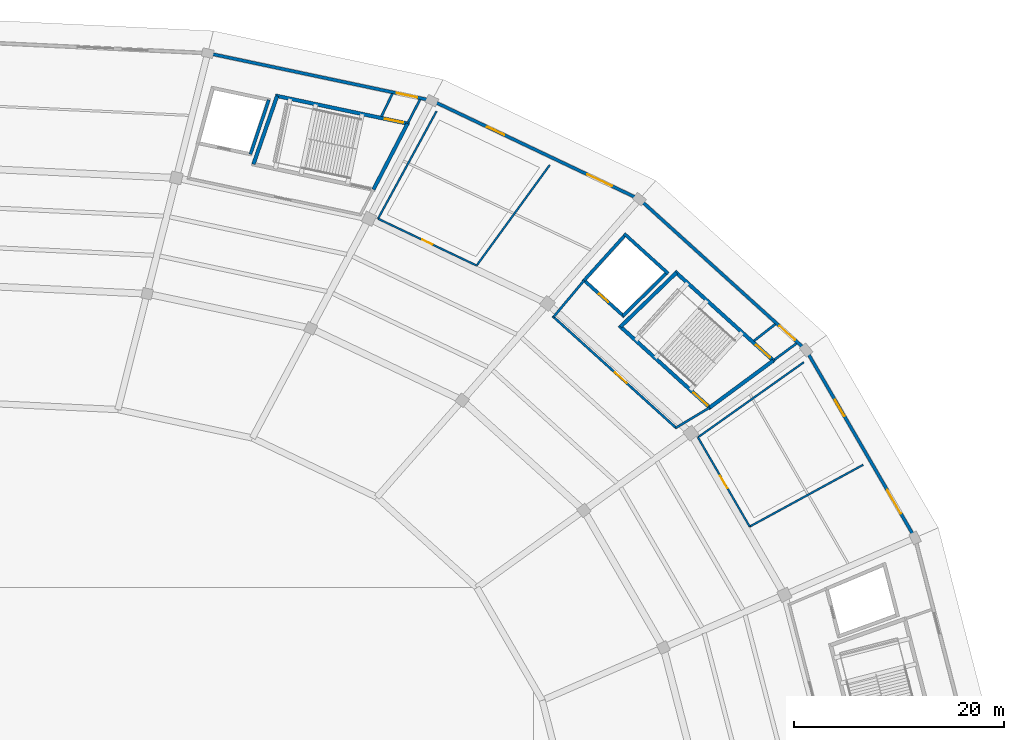
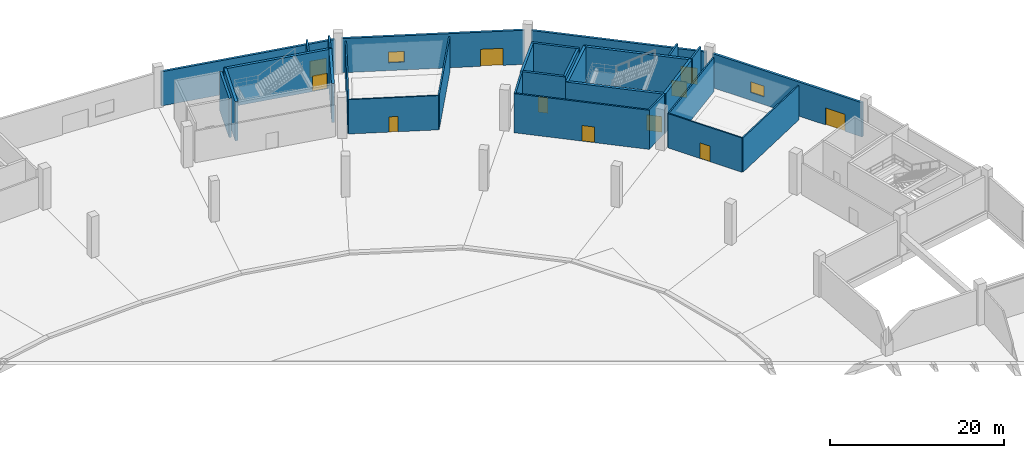
# One storey, part 18 of 48: 29 walls, 11 doors, 2 windows, 13 openings.
"""IFC4 building model written with IfcOpenShell, lengths in metres."""

import ifcopenshell
import ifcopenshell.guid

model = None  # the IFC model being written
_history = None  # IfcOwnerHistory: only IFC2X3 demands one
_inside = {}  # id of a spatial element -> (the spatial element, [elements in it])
_under = {}  # id of a project, library or spatial element -> (it, [spatial elements below it])
_declared = {}  # id of a project -> (the project, [libraries it declares])
_typed = {}  # id of a type object -> (the type object, [elements of that type])
_made_of = {}  # id of a material, layer set ... -> (it, [elements and type objects made of it])


def new_model(schema):
    """Start an empty IFC model of exactly this schema.

    Asked for "IFC4X3", IfcOpenShell would pick the latest addendum, in which some entities
    have other attributes; the version numbers below select the first issue.
    IFC2X3 requires an IfcOwnerHistory on every rooted entity: one is made here for all.
    """
    global model, _history
    if schema == "IFC4X3":
        model = ifcopenshell.file(schema_version=(4, 3, 0, 0))
    else:
        model = ifcopenshell.file(schema=schema)
    _inside.clear()
    _under.clear()
    _declared.clear()
    _typed.clear()
    _made_of.clear()
    _history = None
    if model.schema == "IFC2X3":
        org = make("IfcOrganization", Name="unknown")
        user = make(
            "IfcPersonAndOrganization",
            ThePerson=make("IfcPerson", FamilyName="unknown"),
            TheOrganization=org,
        )
        app = make(
            "IfcApplication",
            ApplicationDeveloper=org,
            Version="unknown",
            ApplicationFullName="unknown",
            ApplicationIdentifier="unknown",
        )
        _history = make(
            "IfcOwnerHistory",
            OwningUser=user,
            OwningApplication=app,
            ChangeAction="ADDED",
            CreationDate=0,
        )
    return model


def make(cls, **values):
    """One entity of the class cls with the attributes given. An attribute that is None is left unset."""
    return model.create_entity(
        cls, **{name: value for name, value in values.items() if value is not None}
    )


def rooted(cls, **values):
    """An entity with a GlobalId (a new one), such as an element, a storey or a relation."""
    return make(cls, GlobalId=ifcopenshell.guid.new(), OwnerHistory=_history, **values)


def si_unit(unit_type, name, prefix=None):
    """IfcSIUnit, for example si_unit("LENGTHUNIT", "METRE", prefix="MILLI")."""
    return make("IfcSIUnit", UnitType=unit_type, Prefix=prefix, Name=name)


def assignment(units):
    """IfcUnitAssignment: the units of a project."""
    return None if units is None else make("IfcUnitAssignment", Units=units)


def point(xyz):
    """IfcCartesianPoint."""
    return None if xyz is None else make("IfcCartesianPoint", Coordinates=xyz)


def direction(xyz):
    """IfcDirection."""
    return None if xyz is None else make("IfcDirection", DirectionRatios=xyz)


def frame(location, z_axis=None, x_axis=None):
    """IfcAxis2Placement3D, a coordinate frame: its origin and axes. An axis left out is left unset."""
    return make(
        "IfcAxis2Placement3D",
        Location=point(location),
        Axis=direction(z_axis),
        RefDirection=direction(x_axis),
    )


def frame_2d(location, x_axis=None):
    """IfcAxis2Placement2D, a coordinate frame in the plane: its origin and x axis."""
    return make(
        "IfcAxis2Placement2D", Location=point(location), RefDirection=direction(x_axis)
    )


def origin():
    """The frame at (0, 0, 0) with its axes left unset."""
    return frame((0.0, 0.0, 0.0))


def place(relative_to, where):
    """IfcLocalPlacement: puts the frame where relative to a parent placement (None: the world)."""
    return make(
        "IfcLocalPlacement", PlacementRelTo=relative_to, RelativePlacement=where
    )


def context(
    kind, dimensions, precision=None, world=None, true_north=None, identifier=None
):
    """IfcGeometricRepresentationContext, for example the 3D "Model" context."""
    return make(
        "IfcGeometricRepresentationContext",
        ContextIdentifier=identifier,
        ContextType=kind,
        CoordinateSpaceDimension=dimensions,
        Precision=precision,
        WorldCoordinateSystem=world,
        TrueNorth=true_north,
    )


def subcontext(parent, identifier, kind, view, scale=None):
    """IfcGeometricRepresentationSubContext, for example "Body" below "Model"."""
    return make(
        "IfcGeometricRepresentationSubContext",
        ContextIdentifier=identifier,
        ContextType=kind,
        ParentContext=parent,
        TargetScale=scale,
        TargetView=view,
    )


def project(units=None, contexts=None):
    """IfcProject with its units and contexts."""
    return rooted(
        "IfcProject",
        Name="project",
        RepresentationContexts=contexts,
        UnitsInContext=assignment(units),
    )


def spatial(cls, under=None, at=None, **own):
    """A site, building, storey or space (cls), placed at a placement, below another one or the project."""
    s = rooted(cls, ObjectPlacement=at, **own)
    if under is not None:
        _under.setdefault(under.id(), (under, []))[1].append(s)
    return s


def profile(cls, at=None, kind="AREA", **sizes):
    """A parametric profile (cls). Its sizes go by their IFC names, for example OverallWidth=200.0."""
    return make(cls, ProfileType=kind, Position=at, **sizes)


def rectangle(**sizes):
    """IfcRectangleProfileDef."""
    return profile("IfcRectangleProfileDef", **sizes)


def extrude(swept, where, along, depth):
    """IfcExtrudedAreaSolid: the profile swept, set in the frame where, extruded along a direction by depth."""
    return make(
        "IfcExtrudedAreaSolid",
        SweptArea=swept,
        Position=where,
        ExtrudedDirection=direction(along),
        Depth=depth,
    )


def shape(context_of_items, identifier, shape_type, items):
    """IfcShapeRepresentation: the items that make up one representation, for example the "Body"."""
    return make(
        "IfcShapeRepresentation",
        ContextOfItems=context_of_items,
        RepresentationIdentifier=identifier,
        RepresentationType=shape_type,
        Items=items,
    )


def material(Name=None, Category=None):
    """IfcMaterial."""
    return make("IfcMaterial", Name=Name, Category=Category)


def layer(
    of_material, thickness, ventilated=None, Name=None, Category=None, Priority=None
):
    """IfcMaterialLayer: one layer of a wall or slab, of a material (None: an air gap)."""
    return make(
        "IfcMaterialLayer",
        Material=of_material,
        LayerThickness=thickness,
        IsVentilated=ventilated,
        Name=Name,
        Category=Category,
        Priority=Priority,
    )


def layer_set(layers, Name=None):
    """IfcMaterialLayerSet."""
    return make("IfcMaterialLayerSet", MaterialLayers=layers, LayerSetName=Name)


def made_of(thing, what):
    """Note that an element or type object is made of a material, layer set ...; save() writes the relation."""
    if what is not None:
        _made_of.setdefault(what.id(), (what, []))[1].append(thing)
    return thing


def type_object(cls, material=None, **own):
    """A type object (cls), such as IfcWallType, which elements share."""
    return made_of(rooted(cls, **own), material)


def element(
    cls,
    number,
    at=None,
    inside=None,
    cuts=None,
    type_object=None,
    material=None,
    context=None,
    identifier="Body",
    shape_type=None,
    held_by="IfcProductDefinitionShape",
    body=None,
    shapes=None,
    **own,
):
    """One element of the class cls, such as IfcWall. Its Tag is "e" and its number.

    at: its placement. inside: the storey or other place that contains it. cuts: it is an
    opening in that element (IfcRelVoidsElement). A single representation is given by context,
    identifier, shape_type and body (its items); several are given by shapes. held_by: the class
    of the entity that holds the representations. save() writes the other relations.
    """
    e = rooted(cls, Tag="e%d" % number, ObjectPlacement=at, **own)
    if body is not None:
        shapes = [shape(context, identifier, shape_type, body)]
    if shapes is not None:
        e.Representation = make(held_by, Representations=shapes)
    if inside is not None:
        _inside.setdefault(inside.id(), (inside, []))[1].append(e)
    if cuts is not None:
        rooted(
            "IfcRelVoidsElement", RelatingBuildingElement=cuts, RelatedOpeningElement=e
        )
    if type_object is not None:
        _typed.setdefault(type_object.id(), (type_object, []))[1].append(e)
    return made_of(e, material)


def fill(opening, filler):
    """IfcRelFillsElement: the door or window that sits in an opening."""
    return rooted(
        "IfcRelFillsElement",
        RelatingOpeningElement=opening,
        RelatedBuildingElement=filler,
    )


def aggregate(whole, parts):
    """IfcRelAggregates: a whole, such as a stair, and the parts it consists of."""
    return rooted("IfcRelAggregates", RelatingObject=whole, RelatedObjects=parts)


def save(model, path):
    """Write the relations noted so far, then the file.

    IfcRelAggregates (storeys below a building ...), IfcRelContainedInSpatialStructure (elements
    in a storey), IfcRelDefinesByType, IfcRelAssociatesMaterial and IfcRelDeclares: one each for
    every whole, place, type object, material and project.
    """
    for whole, parts in _under.values():
        aggregate(whole, parts)
    for where, things in _inside.values():
        rooted(
            "IfcRelContainedInSpatialStructure",
            RelatedElements=things,
            RelatingStructure=where,
        )
    for kind, things in _typed.values():
        rooted("IfcRelDefinesByType", RelatedObjects=things, RelatingType=kind)
    for what, things in _made_of.values():
        rooted("IfcRelAssociatesMaterial", RelatedObjects=things, RelatingMaterial=what)
    for by, libraries in _declared.values():
        rooted("IfcRelDeclares", RelatingContext=by, RelatedDefinitions=libraries)
    model.write(path)


model = new_model("IFC4")

# Units and contexts
model_context = context("Model", 3, precision=1e-05, world=origin(), true_north=direction((0.0, 1.0)))
body_context = subcontext(model_context, "Body", "Model", "MODEL_VIEW")
ifc_project = project(units=[si_unit("LENGTHUNIT", "METRE"), si_unit("AREAUNIT", "SQUARE_METRE"), si_unit("VOLUMEUNIT", "CUBIC_METRE"), si_unit("PLANEANGLEUNIT", "RADIAN"), si_unit("MASSUNIT", "GRAM", prefix="KILO")], contexts=[model_context])

# Site, building, storey
site_placement = place(None, origin())
site = spatial("IfcSite", under=ifc_project, at=site_placement, CompositionType="ELEMENT")
building_placement = place(site_placement, origin())
building = spatial("IfcBuilding", under=site, at=building_placement, Name="Kazemori Nagisa Stadium", CompositionType="ELEMENT")
storey_placement = place(building_placement, origin())
storey = spatial("IfcBuildingStorey", under=building, at=storey_placement, Name="L00", CompositionType="ELEMENT", Elevation=0.0)

# Wall, opening, door
ifc_material_1 = material(Name="Concrete C40/50 (Fc42)", Category="concrete")
ifc_layer_1 = layer(ifc_material_1, 0.35009765625, Name="Concrete C40/50 (Fc42)", Category="concrete")
ifc_layer_set_1 = layer_set([ifc_layer_1], Name="Concrete C40/50 (Fc42)")
wall_type_1 = type_object("IfcWallType", Name="Wall_W-CORE-350", PredefinedType="SHEAR", material=ifc_layer_set_1)
wall_1_placement = place(storey_placement, frame((192.438720703125, 153.072021484375, 0.0), z_axis=(0.0, 0.0, 1.0), x_axis=(-0.741358227035, 0.671109513572, 0.0)))
wall_1 = element("IfcWall", 1, at=wall_1_placement, inside=storey, type_object=wall_type_1, Name="Core stair front shear wall ST01 L00", PredefinedType="SHEAR", context=body_context, shape_type="SweptSolid", body=[
    extrude(rectangle(XDim=11.82666015625, YDim=0.35009765625, at=frame_2d((5.913330078125, 0.0))), origin(), (0.0, 0.0, 1.0), 5.5),
])
opening_1_placement = place(wall_1_placement, frame((0.47509765625, 0.0, 0.0)))
opening_1 = element("IfcOpeningElement", 2, at=opening_1_placement, cuts=wall_1, Name="Opening D-ST-1800", PredefinedType="OPENING", context=body_context, shape_type="SweptSolid", body=[
    extrude(rectangle(XDim=1.800048828125, YDim=2.199951171875, at=frame_2d((0.89990234375, 1.10009765625))), frame((0.0, 0.18505859375, 0.0), z_axis=(0.0, -1.0, 0.0), x_axis=(1.0, 0.0, 0.0)), (0.0, 0.0, 1.0), 0.3701171875),
])
ifc_material_2 = material(Name="Galvanised steel sheet", Category="steel")
door_type_1 = type_object("IfcDoorType", Name="Door_D-ST-1800", OperationType="NOTDEFINED", PredefinedType="DOOR", material=ifc_material_2)
door_1_placement = place(opening_1_placement, origin())
door_1 = element("IfcDoor", 3, at=door_1_placement, inside=storey, type_object=door_type_1, Name="Exit stair fire door ST01-L00", OperationType="SINGLE_SWING_RIGHT", OverallHeight=2.199951171875, OverallWidth=1.800048828125, PredefinedType="DOOR", context=body_context, shape_type="SweptSolid", body=[
    extrude(rectangle(XDim=1.800048828125, YDim=2.199951171875, at=frame_2d((0.89990234375, 1.10009765625))), frame((0.0, 0.02490234375, 0.0), z_axis=(0.0, -1.0, 0.0), x_axis=(1.0, 0.0, 0.0)), (0.0, 0.0, 1.0), 0.050048828125),
])
fill(opening_1, door_1)

wall_2_placement = place(storey_placement, frame((198.499267578125, 157.548095703125, 0.0), z_axis=(0.0, 0.0, 1.0), x_axis=(-0.741351373721, 0.671117084183, 0.0)))
wall_2 = element("IfcWall", 4, at=wall_2_placement, inside=storey, type_object=wall_type_1, Name="Core stair rear shear wall ST01 L00", PredefinedType="SHEAR", context=body_context, shape_type="SweptSolid", body=[
    extrude(rectangle(XDim=12.830322265625, YDim=0.35009765625, at=frame_2d((6.4150390625, 0.0))), origin(), (0.0, 0.0, 1.0), 5.5),
])
opening_2_placement = place(wall_2_placement, frame((0.60205078125, 0.0, 0.0)))
opening_2 = element("IfcOpeningElement", 5, at=opening_2_placement, cuts=wall_2, Name="Opening D-ST-1800", PredefinedType="OPENING", context=body_context, shape_type="SweptSolid", body=[
    extrude(rectangle(XDim=1.800048828125, YDim=2.199951171875, at=frame_2d((0.89990234375, 1.10009765625))), frame((0.0, 0.18505859375, 0.0), z_axis=(0.0, -1.0, 0.0), x_axis=(1.0, 0.0, 0.0)), (0.0, 0.0, 1.0), 0.3701171875),
])
door_2_placement = place(opening_2_placement, frame((1.800048828125, 0.0, 0.0), z_axis=(0.0, 0.0, 1.0), x_axis=(-1.0, 0.0, 0.0)))
door_2 = element("IfcDoor", 6, at=door_2_placement, inside=storey, type_object=door_type_1, Name="Exit stair discharge door ST01-L00", OperationType="DOUBLE_DOOR_SINGLE_SWING", OverallHeight=2.199951171875, OverallWidth=1.800048828125, PredefinedType="DOOR", context=body_context, shape_type="SweptSolid", body=[
    extrude(rectangle(XDim=1.800048828125, YDim=2.199951171875, at=frame_2d((0.89990234375, 1.10009765625))), frame((0.0, 0.02490234375, 0.0), z_axis=(0.0, -1.0, 0.0), x_axis=(1.0, 0.0, 0.0)), (0.0, 0.0, 1.0), 0.050048828125),
])
fill(opening_2, door_2)

# Walls
wall_3_placement = place(storey_placement, frame((192.308837890625, 153.189453125, 0.0), z_axis=(0.0, 0.0, 1.0), x_axis=(0.804395625347, 0.594093997548, 0.0)))
element("IfcWall", 7, at=wall_3_placement, inside=storey, type_object=wall_type_1, Name="Core stair left shear wall ST01 L00", PredefinedType="SHEAR", context=body_context, shape_type="SweptSolid", body=[
    extrude(rectangle(XDim=7.5341796875, YDim=0.35009765625, at=frame_2d((3.76708984375, 0.0))), origin(), (0.0, 0.0, 1.0), 5.5),
])
wall_4_placement = place(storey_placement, frame((183.800537109375, 160.8916015625, 0.0), z_axis=(0.0, 0.0, 1.0), x_axis=(0.718297398554, 0.69573619083, 0.0)))
element("IfcWall", 8, at=wall_4_placement, inside=storey, type_object=wall_type_1, Name="Core stair right shear wall ST01 L00", PredefinedType="SHEAR", context=body_context, shape_type="SweptSolid", body=[
    extrude(rectangle(XDim=7.40185546875, YDim=0.35009765625, at=frame_2d((3.700927734375, 0.0))), origin(), (0.0, 0.0, 1.0), 5.5),
])

# Wall, opening, door
wall_5_placement = place(storey_placement, frame((163.655029296875, 180.2333984375, 0.0), z_axis=(0.0, 0.0, 1.0), x_axis=(-0.978345119536, 0.206980257705, 0.0)))
wall_5 = element("IfcWall", 9, at=wall_5_placement, inside=storey, type_object=wall_type_1, Name="Core stair rear shear wall ST11 L00", PredefinedType="SHEAR", context=body_context, shape_type="SweptSolid", body=[
    extrude(rectangle(XDim=13.06689453125, YDim=0.35009765625, at=frame_2d((6.533447265625, 0.0))), origin(), (0.0, 0.0, 1.0), 5.5),
])
opening_3_placement = place(wall_5_placement, frame((0.58203125, 0.0, 0.0)))
opening_3 = element("IfcOpeningElement", 10, at=opening_3_placement, cuts=wall_5, Name="Opening D-ST-1800", PredefinedType="OPENING", context=body_context, shape_type="SweptSolid", body=[
    extrude(rectangle(XDim=1.800048828125, YDim=2.199951171875, at=frame_2d((0.89990234375, 1.10009765625))), frame((0.0, 0.18505859375, 0.0), z_axis=(0.0, -1.0, 0.0), x_axis=(1.0, 0.0, 0.0)), (0.0, 0.0, 1.0), 0.3701171875),
])
door_3_placement = place(opening_3_placement, frame((1.800048828125, 0.0, 0.0), z_axis=(0.0, 0.0, 1.0), x_axis=(-1.0, 0.0, 0.0)))
door_3 = element("IfcDoor", 11, at=door_3_placement, inside=storey, type_object=door_type_1, Name="Exit stair discharge door ST11-L00", OperationType="DOUBLE_DOOR_SINGLE_SWING", OverallHeight=2.199951171875, OverallWidth=1.800048828125, PredefinedType="DOOR", context=body_context, shape_type="SweptSolid", body=[
    extrude(rectangle(XDim=1.800048828125, YDim=2.199951171875, at=frame_2d((0.89990234375, 1.10009765625))), frame((0.0, 0.02490234375, 0.0), z_axis=(0.0, -1.0, 0.0), x_axis=(1.0, 0.0, 0.0)), (0.0, 0.0, 1.0), 0.050048828125),
])
fill(opening_3, door_3)

# Walls
wall_6_placement = place(storey_placement, frame((160.228515625, 173.975830078125, 0.0), z_axis=(0.0, 0.0, 1.0), x_axis=(0.459409796564, 0.888224430435, 0.0)))
element("IfcWall", 12, at=wall_6_placement, inside=storey, type_object=wall_type_1, Name="Core stair left shear wall ST11 L00", PredefinedType="SHEAR", context=body_context, shape_type="SweptSolid", body=[
    extrude(rectangle(XDim=7.0859375, YDim=0.35009765625, at=frame_2d((3.54296875, 0.0))), origin(), (0.0, 0.0, 1.0), 5.5),
])
wall_7_placement = place(storey_placement, frame((148.787353515625, 176.396240234375, 0.0), z_axis=(0.0, 0.0, 1.0), x_axis=(0.327491724385, 0.944854047173, 0.0)))
element("IfcWall", 13, at=wall_7_placement, inside=storey, type_object=wall_type_1, Name="Core stair right shear wall ST11 L00", PredefinedType="SHEAR", context=body_context, shape_type="SweptSolid", body=[
    extrude(rectangle(XDim=6.88525390625, YDim=0.35009765625, at=frame_2d((3.442626953125, 0.0))), origin(), (0.0, 0.0, 1.0), 5.5),
])

# Wall, openings, door, window
ifc_material_3 = material(Name="Concrete C40/50 (Fc42) precast", Category="concrete")
ifc_layer_2 = layer(ifc_material_3, 0.300048828125, Name="Concrete C40/50 (Fc42) precast", Category="concrete")
ifc_layer_set_2 = layer_set([ifc_layer_2], Name="Concrete C40/50 (Fc42) precast")
wall_type_2 = type_object("IfcWallType", Name="Wall_W-EXT-300", PredefinedType="SOLIDWALL", material=ifc_layer_set_2)
wall_8_placement = place(storey_placement, frame((211.689208984375, 141.0869140625, 0.0), z_axis=(0.0, 0.0, 1.0), x_axis=(-0.501609752715, 0.865094015689, 0.0)))
wall_8 = element("IfcWall", 14, at=wall_8_placement, inside=storey, type_object=wall_type_2, Name="Ground exterior entrance wall L00-03", PredefinedType="SOLIDWALL", context=body_context, shape_type="SweptSolid", body=[
    extrude(rectangle(XDim=19.932373046875, YDim=0.300048828125, at=frame_2d((9.96630859375, 0.0))), origin(), (0.0, 0.0, 1.0), 4.800048828125),
])
opening_4_placement = place(wall_8_placement, frame((2.2880859375, 0.0, 0.0)))
opening_4 = element("IfcOpeningElement", 15, at=opening_4_placement, cuts=wall_8, Name="Opening D-GATE-2600", PredefinedType="OPENING", context=body_context, shape_type="SweptSolid", body=[
    extrude(rectangle(XDim=2.60009765625, YDim=2.39990234375, at=frame_2d((1.300048828125, 1.199951171875))), frame((0.0, 0.159912109375, 0.0), z_axis=(0.0, -1.0, 0.0), x_axis=(1.0, 0.0, 0.0)), (0.0, 0.0, 1.0), 0.320068359375),
])
opening_5_placement = place(wall_8_placement, frame((13.052978515625, 0.0, 1.10009765625)))
opening_5 = element("IfcOpeningElement", 16, at=opening_5_placement, cuts=wall_8, Name="Opening WIN-L00-1800", PredefinedType="OPENING", context=body_context, shape_type="SweptSolid", body=[
    extrude(rectangle(XDim=1.800048828125, YDim=1.5, at=frame_2d((0.89990234375, 0.75))), frame((0.0, 0.159912109375, 0.0), z_axis=(0.0, -1.0, 0.0), x_axis=(1.0, 0.0, 0.0)), (0.0, 0.0, 1.0), 0.320068359375),
])
ifc_material_4 = material(Name="Anodised aluminium 6063-T5", Category="aluminium")
door_type_2 = type_object("IfcDoorType", Name="Door_D-GATE-2600", OperationType="NOTDEFINED", PredefinedType="DOOR", material=ifc_material_4)
door_4_placement = place(opening_4_placement, frame((2.60009765625, 0.0, 0.0), z_axis=(0.0, 0.0, 1.0), x_axis=(-1.0, 0.0, 0.0)))
door_4 = element("IfcDoor", 17, at=door_4_placement, inside=storey, type_object=door_type_2, Name="Pedestrian exit gate G1", OperationType="DOUBLE_DOOR_SINGLE_SWING", OverallHeight=2.39990234375, OverallWidth=2.60009765625, PredefinedType="DOOR", context=body_context, shape_type="SweptSolid", body=[
    extrude(rectangle(XDim=2.60009765625, YDim=2.39990234375, at=frame_2d((1.300048828125, 1.199951171875))), frame((0.0, 0.02490234375, 0.0), z_axis=(0.0, -1.0, 0.0), x_axis=(1.0, 0.0, 0.0)), (0.0, 0.0, 1.0), 0.050048828125),
])
fill(opening_4, door_4)
ifc_material_5 = material(Name="Low-e laminated double glazing", Category="glass")
window_type = type_object("IfcWindowType", Name="Window_WIN-L00-1800", PartitioningType="SINGLE_PANEL", PredefinedType="WINDOW", material=ifc_material_5)
window_1_placement = place(opening_5_placement, origin())
window_1 = element("IfcWindow", 18, at=window_1_placement, inside=storey, type_object=window_type, Name="Ground room window L00-03", OverallHeight=1.5, OverallWidth=1.800048828125, PartitioningType="SINGLE_PANEL", PredefinedType="WINDOW", context=body_context, shape_type="SweptSolid", body=[
    extrude(rectangle(XDim=1.800048828125, YDim=1.5, at=frame_2d((0.89990234375, 0.75))), frame((0.0, 0.030029296875, 0.0), z_axis=(0.0, -1.0, 0.0), x_axis=(1.0, 0.0, 0.0)), (0.0, 0.0, 1.0), 0.06005859375),
])
fill(opening_5, window_1)

# Wall, opening, door
wall_9_placement = place(storey_placement, frame((201.206298828125, 158.929443359375, 0.0), z_axis=(0.0, 0.0, 1.0), x_axis=(-0.741354093053, 0.671114080253, 0.0)))
wall_9 = element("IfcWall", 19, at=wall_9_placement, inside=storey, type_object=wall_type_2, Name="Ground exterior entrance wall L00-04", PredefinedType="SOLIDWALL", context=body_context, shape_type="SweptSolid", body=[
    extrude(rectangle(XDim=20.66357421875, YDim=0.300048828125, at=frame_2d((10.331787109375, 0.0))), origin(), (0.0, 0.0, 1.0), 4.800048828125),
])
opening_6_placement = place(wall_9_placement, frame((1.050048828125, 0.0, 0.0)))
opening_6 = element("IfcOpeningElement", 20, at=opening_6_placement, cuts=wall_9, Name="Opening D-SD-2000", PredefinedType="OPENING", context=body_context, shape_type="SweptSolid", body=[
    extrude(rectangle(XDim=2.0, YDim=2.300048828125, at=frame_2d((1.0, 1.14990234375))), frame((0.0, 0.159912109375, 0.0), z_axis=(0.0, -1.0, 0.0), x_axis=(1.0, 0.0, 0.0)), (0.0, 0.0, 1.0), 0.320068359375),
])
door_type_3 = type_object("IfcDoorType", Name="Door_D-SD-2000", OperationType="NOTDEFINED", PredefinedType="DOOR", material=ifc_material_2)
door_5_placement = place(opening_6_placement, frame((2.0, 0.0, 0.0), z_axis=(0.0, 0.0, 1.0), x_axis=(-1.0, 0.0, 0.0)))
door_5 = element("IfcDoor", 21, at=door_5_placement, inside=storey, type_object=door_type_3, Name="Pedestrian stair exit SD1", OperationType="DOUBLE_DOOR_SINGLE_SWING", OverallHeight=2.300048828125, OverallWidth=2.0, PredefinedType="DOOR", context=body_context, shape_type="SweptSolid", body=[
    extrude(rectangle(XDim=2.0, YDim=2.300048828125, at=frame_2d((1.0, 1.14990234375))), frame((0.0, 0.02490234375, 0.0), z_axis=(0.0, -1.0, 0.0), x_axis=(1.0, 0.0, 0.0)), (0.0, 0.0, 1.0), 0.050048828125),
])
fill(opening_6, door_5)

# Wall, openings, door, window
wall_10_placement = place(storey_placement, frame((185.24560546875, 173.226318359375, 0.0), z_axis=(0.0, 0.0, 1.0), x_axis=(-0.903214032263, 0.429190414528, 0.0)))
wall_10 = element("IfcWall", 22, at=wall_10_placement, inside=storey, type_object=wall_type_2, Name="Ground exterior entrance wall L00-05", PredefinedType="SOLIDWALL", context=body_context, shape_type="SweptSolid", body=[
    extrude(rectangle(XDim=21.134033203125, YDim=0.300048828125, at=frame_2d((10.56689453125, 0.0))), origin(), (0.0, 0.0, 1.0), 4.800048828125),
])
opening_7_placement = place(wall_10_placement, frame((2.50390625, 0.0, 0.0)))
opening_7 = element("IfcOpeningElement", 23, at=opening_7_placement, cuts=wall_10, Name="Opening D-GATE-2600", PredefinedType="OPENING", context=body_context, shape_type="SweptSolid", body=[
    extrude(rectangle(XDim=2.60009765625, YDim=2.39990234375, at=frame_2d((1.300048828125, 1.199951171875))), frame((0.0, 0.159912109375, 0.0), z_axis=(0.0, -1.0, 0.0), x_axis=(1.0, 0.0, 0.0)), (0.0, 0.0, 1.0), 0.320068359375),
])
opening_8_placement = place(wall_10_placement, frame((13.89404296875, 0.0, 1.10009765625)))
opening_8 = element("IfcOpeningElement", 24, at=opening_8_placement, cuts=wall_10, Name="Opening WIN-L00-1800", PredefinedType="OPENING", context=body_context, shape_type="SweptSolid", body=[
    extrude(rectangle(XDim=1.800048828125, YDim=1.5, at=frame_2d((0.89990234375, 0.75))), frame((0.0, 0.159912109375, 0.0), z_axis=(0.0, -1.0, 0.0), x_axis=(1.0, 0.0, 0.0)), (0.0, 0.0, 1.0), 0.320068359375),
])
door_6_placement = place(opening_7_placement, frame((2.60009765625, 0.0, 0.0), z_axis=(0.0, 0.0, 1.0), x_axis=(-1.0, 0.0, 0.0)))
door_6 = element("IfcDoor", 25, at=door_6_placement, inside=storey, type_object=door_type_2, Name="Pedestrian exit gate G2", OperationType="DOUBLE_DOOR_SINGLE_SWING", OverallHeight=2.39990234375, OverallWidth=2.60009765625, PredefinedType="DOOR", context=body_context, shape_type="SweptSolid", body=[
    extrude(rectangle(XDim=2.60009765625, YDim=2.39990234375, at=frame_2d((1.300048828125, 1.199951171875))), frame((0.0, 0.02490234375, 0.0), z_axis=(0.0, -1.0, 0.0), x_axis=(1.0, 0.0, 0.0)), (0.0, 0.0, 1.0), 0.050048828125),
])
fill(opening_7, door_6)
window_2_placement = place(opening_8_placement, origin())
window_2 = element("IfcWindow", 26, at=window_2_placement, inside=storey, type_object=window_type, Name="Ground room window L00-05", OverallHeight=1.5, OverallWidth=1.800048828125, PartitioningType="SINGLE_PANEL", PredefinedType="WINDOW", context=body_context, shape_type="SweptSolid", body=[
    extrude(rectangle(XDim=1.800048828125, YDim=1.5, at=frame_2d((0.89990234375, 0.75))), frame((0.0, 0.030029296875, 0.0), z_axis=(0.0, -1.0, 0.0), x_axis=(1.0, 0.0, 0.0)), (0.0, 0.0, 1.0), 0.06005859375),
])
fill(opening_8, window_2)

# Wall, opening, door
wall_11_placement = place(storey_placement, frame((165.423095703125, 182.544921875, 0.0), z_axis=(0.0, 0.0, 1.0), x_axis=(-0.978345100851, 0.206980346028, 0.0)))
wall_11 = element("IfcWall", 27, at=wall_11_placement, inside=storey, type_object=wall_type_2, Name="Core exterior wall L00-06", PredefinedType="SOLIDWALL", context=body_context, shape_type="SweptSolid", body=[
    extrude(rectangle(XDim=21.070068359375, YDim=0.300048828125, at=frame_2d((10.53515625, 0.0))), origin(), (0.0, 0.0, 1.0), 4.800048828125),
])
opening_9_placement = place(wall_11_placement, frame((1.050048828125, 0.0, 0.0)))
opening_9 = element("IfcOpeningElement", 28, at=opening_9_placement, cuts=wall_11, Name="Opening D-SD-2000", PredefinedType="OPENING", context=body_context, shape_type="SweptSolid", body=[
    extrude(rectangle(XDim=2.0, YDim=2.300048828125, at=frame_2d((1.0, 1.14990234375))), frame((0.0, 0.159912109375, 0.0), z_axis=(0.0, -1.0, 0.0), x_axis=(1.0, 0.0, 0.0)), (0.0, 0.0, 1.0), 0.320068359375),
])
door_7_placement = place(opening_9_placement, frame((2.0, 0.0, 0.0), z_axis=(0.0, 0.0, 1.0), x_axis=(-1.0, 0.0, 0.0)))
door_7 = element("IfcDoor", 29, at=door_7_placement, inside=storey, type_object=door_type_3, Name="Pedestrian stair exit SD11", OperationType="DOUBLE_DOOR_SINGLE_SWING", OverallHeight=2.300048828125, OverallWidth=2.0, PredefinedType="DOOR", context=body_context, shape_type="SweptSolid", body=[
    extrude(rectangle(XDim=2.0, YDim=2.300048828125, at=frame_2d((1.0, 1.14990234375))), frame((0.0, 0.02490234375, 0.0), z_axis=(0.0, -1.0, 0.0), x_axis=(1.0, 0.0, 0.0)), (0.0, 0.0, 1.0), 0.050048828125),
])
fill(opening_9, door_7)

# Walls
ifc_material_6 = material(Name="Concrete C36/45 (Fc36)", Category="concrete")
ifc_layer_3 = layer(ifc_material_6, 0.219970703125, Name="Concrete C36/45 (Fc36)", Category="concrete")
ifc_layer_set_3 = layer_set([ifc_layer_3], Name="Concrete C36/45 (Fc36)")
wall_type_3 = type_object("IfcWallType", Name="Wall_W-LOBBY-220", PredefinedType="SOLIDWALL", material=ifc_layer_set_3)
wall_12_placement = place(storey_placement, frame((198.494140625, 157.7578125, 0.0), z_axis=(0.0, 0.0, 1.0), x_axis=(0.804407162525, 0.59407837604, 0.0)))
element("IfcWall", 30, at=wall_12_placement, inside=storey, type_object=wall_type_3, Name="Exit passage left fire wall ST01 L00", PredefinedType="SOLIDWALL", context=body_context, shape_type="SweptSolid", body=[
    extrude(rectangle(XDim=2.61279296875, YDim=0.219970703125, at=frame_2d((1.306396484375, 0.0))), origin(), (0.0, 0.0, 1.0), 5.5),
])
wall_13_placement = place(storey_placement, frame((196.5244140625, 159.5419921875, 0.0), z_axis=(0.0, 0.0, 1.0), x_axis=(0.787481201748, 0.616338670613, 0.0)))
element("IfcWall", 31, at=wall_13_placement, inside=storey, type_object=wall_type_3, Name="Exit passage right fire wall ST01 L00", PredefinedType="SOLIDWALL", context=body_context, shape_type="SweptSolid", body=[
    extrude(rectangle(XDim=2.59765625, YDim=0.219970703125, at=frame_2d((1.298828125, 0.0))), origin(), (0.0, 0.0, 1.0), 5.5),
])

# Wall, opening, door
wall_14_placement = place(storey_placement, frame((189.166259765625, 151.1806640625, 0.0), z_axis=(0.0, 0.0, 1.0), x_axis=(-0.741351035574, 0.671117457717, 0.0)))
wall_14 = element("IfcWall", 32, at=wall_14_placement, inside=storey, type_object=wall_type_3, Name="Core lobby fire wall ST01 L00", PredefinedType="SOLIDWALL", context=body_context, shape_type="SweptSolid", body=[
    extrude(rectangle(XDim=15.96923828125, YDim=0.219970703125, at=frame_2d((7.984619140625, 0.0))), origin(), (0.0, 0.0, 1.0), 5.5),
])
opening_10_placement = place(wall_14_placement, frame((6.447021484375, 0.0, 0.0)))
opening_10 = element("IfcOpeningElement", 33, at=opening_10_placement, cuts=wall_14, Name="Opening D-FFL-1500", PredefinedType="OPENING", context=body_context, shape_type="SweptSolid", body=[
    extrude(rectangle(XDim=1.5, YDim=2.199951171875, at=frame_2d((0.75, 1.10009765625))), frame((0.0, 0.119873046875, 0.0), z_axis=(0.0, -1.0, 0.0), x_axis=(1.0, 0.0, 0.0)), (0.0, 0.0, 1.0), 0.239990234375),
])
door_type_4 = type_object("IfcDoorType", Name="Door_D-FFL-1500", OperationType="NOTDEFINED", PredefinedType="DOOR", material=ifc_material_2)
door_8_placement = place(opening_10_placement, origin())
door_8 = element("IfcDoor", 34, at=door_8_placement, inside=storey, type_object=door_type_4, Name="Protected lobby fire door ST01-L00", OperationType="DOUBLE_DOOR_SINGLE_SWING", OverallHeight=2.199951171875, OverallWidth=1.5, PredefinedType="DOOR", context=body_context, shape_type="SweptSolid", body=[
    extrude(rectangle(XDim=1.5, YDim=2.199951171875, at=frame_2d((0.75, 1.10009765625))), frame((0.0, 0.02490234375, 0.0), z_axis=(0.0, -1.0, 0.0), x_axis=(1.0, 0.0, 0.0)), (0.0, 0.0, 1.0), 0.050048828125),
])
fill(opening_10, door_8)

# Walls
wall_15_placement = place(storey_placement, frame((189.084716796875, 151.25439453125, 0.0), z_axis=(0.0, 0.0, 1.0), x_axis=(0.857424171966, 0.514610327654, 0.0)))
element("IfcWall", 35, at=wall_15_placement, inside=storey, type_object=wall_type_3, Name="Core lobby left wall ST01 L00", PredefinedType="SOLIDWALL", context=body_context, shape_type="SweptSolid", body=[
    extrude(rectangle(XDim=3.76025390625, YDim=0.219970703125, at=frame_2d((1.880126953125, 0.0))), origin(), (0.0, 0.0, 1.0), 5.5),
])
wall_16_placement = place(storey_placement, frame((177.408935546875, 161.823974609375, 0.0), z_axis=(0.0, 0.0, 1.0), x_axis=(0.640759627034, 0.767741558315, 0.0)))
element("IfcWall", 36, at=wall_16_placement, inside=storey, type_object=wall_type_3, Name="Core lobby right wall ST01 L00", PredefinedType="SOLIDWALL", context=body_context, shape_type="SweptSolid", body=[
    extrude(rectangle(XDim=4.549072265625, YDim=0.219970703125, at=frame_2d((2.2744140625, 0.0))), origin(), (0.0, 0.0, 1.0), 5.5),
])
wall_17_placement = place(storey_placement, frame((163.554931640625, 180.4072265625, 0.0), z_axis=(0.0, 0.0, 1.0), x_axis=(0.459376652804, 0.888241572354, 0.0)))
element("IfcWall", 37, at=wall_17_placement, inside=storey, type_object=wall_type_3, Name="Exit passage left fire wall ST11 L00", PredefinedType="SOLIDWALL", context=body_context, shape_type="SweptSolid", body=[
    extrude(rectangle(XDim=2.4404296875, YDim=0.219970703125, at=frame_2d((1.22021484375, 0.0))), origin(), (0.0, 0.0, 1.0), 5.5),
])
wall_18_placement = place(storey_placement, frame((160.993408203125, 180.950439453125, 0.0), z_axis=(0.0, 0.0, 1.0), x_axis=(0.433685188572, 0.901064457857, 0.0)))
element("IfcWall", 38, at=wall_18_placement, inside=storey, type_object=wall_type_3, Name="Exit passage right fire wall ST11 L00", PredefinedType="SOLIDWALL", context=body_context, shape_type="SweptSolid", body=[
    extrude(rectangle(XDim=2.420166015625, YDim=0.219970703125, at=frame_2d((1.2099609375, 0.0))), origin(), (0.0, 0.0, 1.0), 5.5),
])

# Wall, opening, door
ifc_material_7 = material(Name="Gypsum plasterboard", Category="gypsum")
ifc_layer_4 = layer(ifc_material_7, 0.179931640625, Name="Gypsum plasterboard", Category="gypsum")
ifc_layer_set_4 = layer_set([ifc_layer_4], Name="Gypsum plasterboard")
wall_type_4 = type_object("IfcWallType", Name="Wall_W-PART-180", PredefinedType="PARTITIONING", material=ifc_layer_set_4)
wall_19_placement = place(storey_placement, frame((196.1162109375, 141.826904296875, 0.0), z_axis=(0.0, 0.0, 1.0), x_axis=(-0.501623798059, 0.865085871588, 0.0)))
wall_19 = element("IfcWall", 39, at=wall_19_placement, inside=storey, type_object=wall_type_4, Name="Fire Control Room corridor partition L00-B03", PredefinedType="PARTITIONING", context=body_context, shape_type="SweptSolid", body=[
    extrude(rectangle(XDim=9.842529296875, YDim=0.179931640625, at=frame_2d((4.92138671875, 0.0))), origin(), (0.0, 0.0, 1.0), 4.820068359375),
])
opening_11_placement = place(wall_19_placement, frame((4.23095703125, 0.0, 0.0)))
opening_11 = element("IfcOpeningElement", 40, at=opening_11_placement, cuts=wall_19, Name="Opening D-FCR-1380", PredefinedType="OPENING", context=body_context, shape_type="SweptSolid", body=[
    extrude(rectangle(XDim=1.3798828125, YDim=2.199951171875, at=frame_2d((0.68994140625, 1.10009765625))), frame((0.0, 0.099853515625, 0.0), z_axis=(0.0, -1.0, 0.0), x_axis=(1.0, 0.0, 0.0)), (0.0, 0.0, 1.0), 0.199951171875),
])
door_type_5 = type_object("IfcDoorType", Name="Door_D-FCR-1380", OperationType="NOTDEFINED", PredefinedType="DOOR", material=ifc_material_2)
door_9_placement = place(opening_11_placement, origin())
door_9 = element("IfcDoor", 41, at=door_9_placement, inside=storey, type_object=door_type_5, Name="Fire Control Room entrance door D-FCR-1380", OperationType="SINGLE_SWING_LEFT", OverallHeight=2.199951171875, OverallWidth=1.3798828125, PredefinedType="DOOR", context=body_context, shape_type="SweptSolid", body=[
    extrude(rectangle(XDim=1.3798828125, YDim=2.199951171875, at=frame_2d((0.68994140625, 1.10009765625))), frame((0.0, 0.02490234375, 0.0), z_axis=(0.0, -1.0, 0.0), x_axis=(1.0, 0.0, 0.0)), (0.0, 0.0, 1.0), 0.050048828125),
])
fill(opening_11, door_9)

# Walls
wall_20_placement = place(storey_placement, frame((196.1162109375, 141.826904296875, 0.0), z_axis=(0.0, 0.0, 1.0), x_axis=(0.878167739796, 0.478352820397, 0.0)))
element("IfcWall", 42, at=wall_20_placement, inside=storey, type_object=wall_type_4, Name="Room radial partition L00-B03-L", PredefinedType="PARTITIONING", context=body_context, shape_type="SweptSolid", body=[
    extrude(rectangle(XDim=12.334716796875, YDim=0.179931640625, at=frame_2d((6.16748046875, 0.0))), origin(), (0.0, 0.0, 1.0), 4.820068359375),
])
wall_21_placement = place(storey_placement, frame((191.178955078125, 150.341552734375, 0.0), z_axis=(0.0, 0.0, 1.0), x_axis=(0.815753527099, 0.578399674122, 0.0)))
element("IfcWall", 43, at=wall_21_placement, inside=storey, type_object=wall_type_4, Name="Room radial partition L00-B03-R", PredefinedType="PARTITIONING", context=body_context, shape_type="SweptSolid", body=[
    extrude(rectangle(XDim=12.38232421875, YDim=0.179931640625, at=frame_2d((6.191162109375, 0.0))), origin(), (0.0, 0.0, 1.0), 4.820068359375),
])

# Wall, opening, door
wall_22_placement = place(storey_placement, frame((170.072998046875, 166.7265625, 0.0), z_axis=(0.0, 0.0, 1.0), x_axis=(-0.903212529205, 0.42919357764, 0.0)))
wall_22 = element("IfcWall", 44, at=wall_22_placement, inside=storey, type_object=wall_type_4, Name="Security Control Room L00-05 corridor partition L00-B05", PredefinedType="PARTITIONING", context=body_context, shape_type="SweptSolid", body=[
    extrude(rectangle(XDim=10.41357421875, YDim=0.179931640625, at=frame_2d((5.206787109375, 0.0))), origin(), (0.0, 0.0, 1.0), 4.820068359375),
])
opening_12_placement = place(wall_22_placement, frame((4.6669921875, 0.0, 0.0)))
opening_12 = element("IfcOpeningElement", 45, at=opening_12_placement, cuts=wall_22, Name="Opening D-SEC-1080", PredefinedType="OPENING", context=body_context, shape_type="SweptSolid", body=[
    extrude(rectangle(XDim=1.080078125, YDim=2.14990234375, at=frame_2d((0.5400390625, 1.074951171875))), frame((0.0, 0.099853515625, 0.0), z_axis=(0.0, -1.0, 0.0), x_axis=(1.0, 0.0, 0.0)), (0.0, 0.0, 1.0), 0.199951171875),
])
door_type_6 = type_object("IfcDoorType", Name="Door_D-SEC-1080", OperationType="NOTDEFINED", PredefinedType="DOOR", material=ifc_material_2)
door_10_placement = place(opening_12_placement, origin())
door_10 = element("IfcDoor", 46, at=door_10_placement, inside=storey, type_object=door_type_6, Name="Security Control Room L00-05 entrance door D-SEC-1080", OperationType="SINGLE_SWING_RIGHT", OverallHeight=2.14990234375, OverallWidth=1.080078125, PredefinedType="DOOR", context=body_context, shape_type="SweptSolid", body=[
    extrude(rectangle(XDim=1.080078125, YDim=2.14990234375, at=frame_2d((0.5400390625, 1.074951171875))), frame((0.0, 0.02490234375, 0.0), z_axis=(0.0, -1.0, 0.0), x_axis=(1.0, 0.0, 0.0)), (0.0, 0.0, 1.0), 0.050048828125),
])
fill(opening_12, door_10)

# Walls
wall_23_placement = place(storey_placement, frame((170.072998046875, 166.7265625, 0.0), z_axis=(0.0, 0.0, 1.0), x_axis=(0.588160679051, 0.808744097733, 0.0)))
element("IfcWall", 47, at=wall_23_placement, inside=storey, type_object=wall_type_4, Name="Room radial partition L00-B05-L", PredefinedType="PARTITIONING", context=body_context, shape_type="SweptSolid", body=[
    extrude(rectangle(XDim=11.857177734375, YDim=0.179931640625, at=frame_2d((5.9287109375, 0.0))), origin(), (0.0, 0.0, 1.0), 4.820068359375),
])
wall_24_placement = place(storey_placement, frame((160.667236328125, 171.196044921875, 0.0), z_axis=(0.0, 0.0, 1.0), x_axis=(0.478125060974, 0.878291765912, 0.0)))
element("IfcWall", 48, at=wall_24_placement, inside=storey, type_object=wall_type_4, Name="Room radial partition L00-B05-R", PredefinedType="PARTITIONING", context=body_context, shape_type="SweptSolid", body=[
    extrude(rectangle(XDim=11.671875, YDim=0.179931640625, at=frame_2d((5.8359375, 0.0))), origin(), (0.0, 0.0, 1.0), 4.820068359375),
])

# Wall, opening, door
ifc_layer_5 = layer(ifc_material_1, 0.300048828125, Name="Concrete C40/50 (Fc42)", Category="concrete")
ifc_layer_set_5 = layer_set([ifc_layer_5], Name="Concrete C40/50 (Fc42)")
wall_type_5 = type_object("IfcWallType", Name="Wall_W-SHAFT-300", PredefinedType="SHEAR", material=ifc_layer_set_5)
wall_25_placement = place(storey_placement, frame((184.1630859375, 161.840576171875, 0.0), z_axis=(0.0, 0.0, 1.0), x_axis=(-0.741350155641, 0.671118429736, 0.0)))
wall_25 = element("IfcWall", 49, at=wall_25_placement, inside=storey, type_object=wall_type_5, Name="Lift shaft front wall FL1 L00", PredefinedType="SHEAR", context=body_context, shape_type="SweptSolid", body=[
    extrude(rectangle(XDim=5.3291015625, YDim=0.300048828125, at=frame_2d((2.66455078125, 0.0))), origin(), (0.0, 0.0, 1.0), 5.5),
])
opening_13_placement = place(wall_25_placement, frame((2.06494140625, 0.0, 0.0)))
opening_13 = element("IfcOpeningElement", 50, at=opening_13_placement, cuts=wall_25, Name="Opening LD-FF", PredefinedType="OPENING", context=body_context, shape_type="SweptSolid", body=[
    extrude(rectangle(XDim=1.199951171875, YDim=2.199951171875, at=frame_2d((0.60009765625, 1.10009765625))), frame((0.0, 0.159912109375, 0.0), z_axis=(0.0, -1.0, 0.0), x_axis=(1.0, 0.0, 0.0)), (0.0, 0.0, 1.0), 0.320068359375),
])
ifc_material_8 = material(Name="Stainless steel SUS304", Category="steel")
door_type_7 = type_object("IfcDoorType", Name="Door_LD-FF", OperationType="SLIDING_TO_LEFT", PredefinedType="DOOR", material=ifc_material_8)
door_11_placement = place(opening_13_placement, origin())
door_11 = element("IfcDoor", 51, at=door_11_placement, inside=storey, type_object=door_type_7, Name="Lift landing door FL1-L00", OperationType="SLIDING_TO_LEFT", OverallHeight=2.199951171875, OverallWidth=1.199951171875, PredefinedType="DOOR", context=body_context, shape_type="SweptSolid", body=[
    extrude(rectangle(XDim=1.199951171875, YDim=2.199951171875, at=frame_2d((0.60009765625, 1.10009765625))), frame((0.0, 0.02490234375, 0.0), z_axis=(0.0, -1.0, 0.0), x_axis=(1.0, 0.0, 0.0)), (0.0, 0.0, 1.0), 0.050048828125),
])
fill(opening_13, door_11)

# Walls
wall_26_placement = place(storey_placement, frame((188.359619140625, 165.960693359375, 0.0), z_axis=(0.0, 0.0, 1.0), x_axis=(-0.74134208775, 0.671127341815, 0.0)))
element("IfcWall", 52, at=wall_26_placement, inside=storey, type_object=wall_type_5, Name="Lift shaft B wall FL1 L00", PredefinedType="SHEAR", context=body_context, shape_type="SweptSolid", body=[
    extrude(rectangle(XDim=5.674560546875, YDim=0.300048828125, at=frame_2d((2.83740234375, 0.0))), origin(), (0.0, 0.0, 1.0), 5.5),
])
wall_27_placement = place(storey_placement, frame((184.052001953125, 161.941162109375, 0.0), z_axis=(0.0, 0.0, 1.0), x_axis=(0.713553028001, 0.700601224828, 0.0)))
element("IfcWall", 53, at=wall_27_placement, inside=storey, type_object=wall_type_5, Name="Lift shaft L wall FL1 L00", PredefinedType="SHEAR", context=body_context, shape_type="SweptSolid", body=[
    extrude(rectangle(XDim=5.881103515625, YDim=0.300048828125, at=frame_2d((2.9404296875, 0.0))), origin(), (0.0, 0.0, 1.0), 5.5),
])
wall_28_placement = place(storey_placement, frame((180.32373046875, 165.31640625, 0.0), z_axis=(0.0, 0.0, 1.0), x_axis=(0.67115829282, 0.741314067031, 0.0)))
element("IfcWall", 54, at=wall_28_placement, inside=storey, type_object=wall_type_5, Name="Lift shaft R wall FL1 L00", PredefinedType="SHEAR", context=body_context, shape_type="SweptSolid", body=[
    extrude(rectangle(XDim=5.87060546875, YDim=0.300048828125, at=frame_2d((2.935302734375, 0.0))), origin(), (0.0, 0.0, 1.0), 5.5),
])
wall_29_placement = place(storey_placement, frame((148.498046875, 177.352783203125, 0.0), z_axis=(0.0, 0.0, 1.0), x_axis=(0.320537624185, 0.947235784523, 0.0)))
element("IfcWall", 55, at=wall_29_placement, inside=storey, type_object=wall_type_5, Name="Lift shaft L wall LP3 L00", PredefinedType="SHEAR", context=body_context, shape_type="SweptSolid", body=[
    extrude(rectangle(XDim=5.468017578125, YDim=0.300048828125, at=frame_2d((2.73388671875, 0.0))), origin(), (0.0, 0.0, 1.0), 5.5),
])

save(model, "model.ifc")
